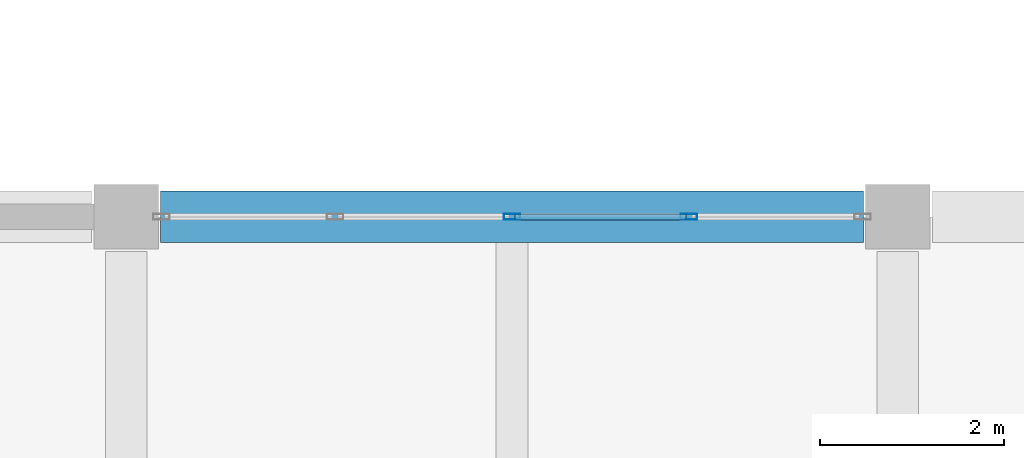
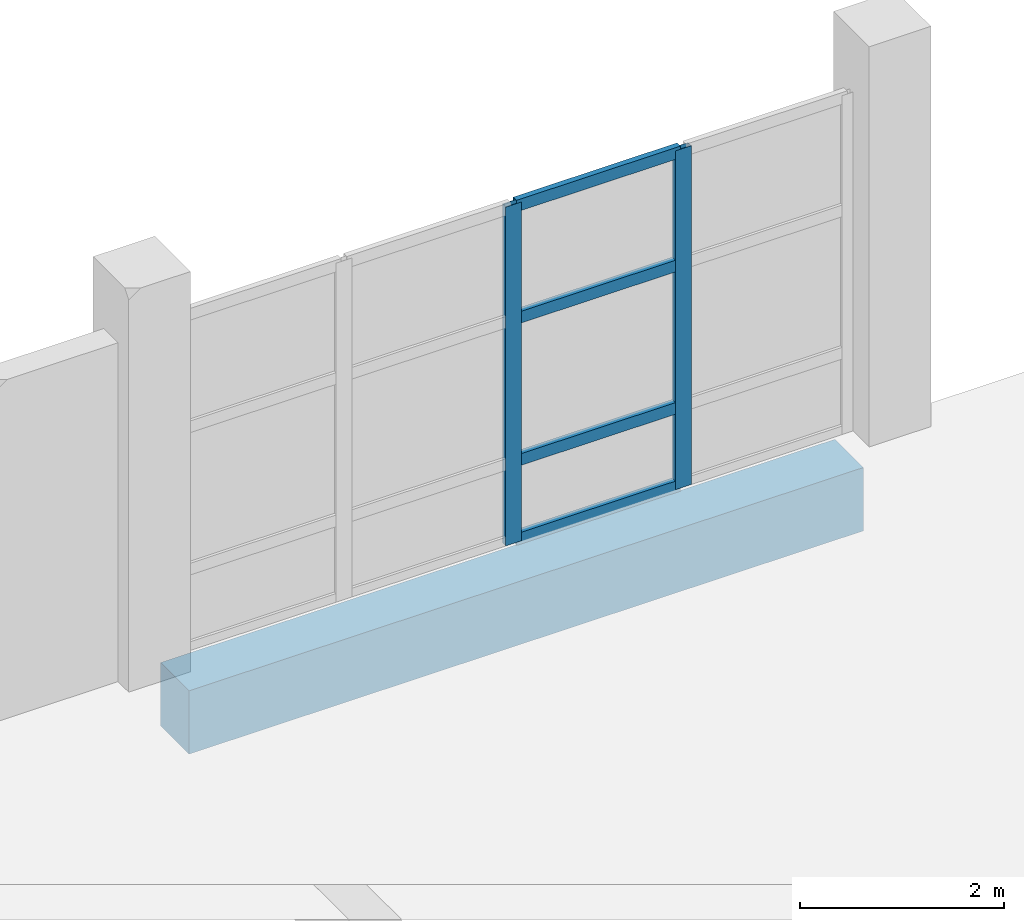
# One storey, part 25 of 91: 6 members, 1 beam, 1 element without a shape of its own.
"""IFC4 building model written with IfcOpenShell, lengths in metres."""

from ifc_helpers import new_model, si_unit, direction, frame, origin, origin_2d, place, context, subcontext, project, spatial, rectangle, hollow_rectangle, extrude, material, material_profile, profile_set, type_object, element, aggregate, save


model = new_model("IFC4")

# Units and contexts
model_context = context("Model", 3, precision=1e-05, world=origin(), true_north=direction((0.0, 1.0)))
body_context = subcontext(model_context, "Body", "Model", "MODEL_VIEW")
ifc_project = project(units=[si_unit("LENGTHUNIT", "METRE"), si_unit("AREAUNIT", "SQUARE_METRE"), si_unit("VOLUMEUNIT", "CUBIC_METRE"), si_unit("PLANEANGLEUNIT", "RADIAN"), si_unit("MASSUNIT", "GRAM", prefix="KILO")], contexts=[model_context])

# Site, building, storey
site_placement = place(None, origin())
site = spatial("IfcSite", under=ifc_project, at=site_placement, CompositionType="ELEMENT")
building_placement = place(site_placement, origin())
building = spatial("IfcBuilding", under=site, at=building_placement, Name="Pellamere Symphony Hall", CompositionType="ELEMENT")
storey_placement = place(building_placement, frame((0.0, 0.0, 5.39990234375)))
storey = spatial("IfcBuildingStorey", under=building, at=storey_placement, Name="L01", CompositionType="ELEMENT", Elevation=5.39990234375)

# Curtain wall, members
ifc_material_1 = material(Name="Thermally Broken Anodised Aluminium 6063-T6 Curtain Wall", Category="aluminium")
curtain_wall_type = type_object("IfcCurtainWallType", Name="Curtain Wall CW-04 (Chamber Music Lobby Curtain Wall)", PredefinedType="NOTDEFINED", material=ifc_material_1)
curtain_wall_placement = place(storey_placement, origin())
curtain_wall = element("IfcCurtainWall", 1, at=curtain_wall_placement, inside=storey, type_object=curtain_wall_type, Name="Chamber Garden North Curtain Wall (L01 Bay 2)", PredefinedType="NOTDEFINED")
ifc_material_2 = material(Name="Anodised Architectural Aluminium 6063-T6", Category="aluminium")
ifc_material_profile_1 = material_profile(ifc_material_2, hollow_rectangle(XDim=0.06494140625, YDim=0.179931640625, WallThickness=0.00390625, at=origin_2d()), Name="ALU-M65X180X4")
ifc_profile_set_1 = profile_set([ifc_material_profile_1], Name="Anodised Architectural Aluminium 6063-T6")
member_type_1 = type_object("IfcMemberType", Name="Curtain Wall Mullion ML-02 ALU-M65X180X4", PredefinedType="MULLION", material=ifc_profile_set_1)
member_1_placement = place(storey_placement, frame((29.39990234375, 54.0, 0.0), z_axis=(0.0, 0.0, 1.0), x_axis=(0.0, 1.0, 0.0)))
member_1 = element("IfcMember", 2, at=member_1_placement, type_object=member_type_1, Name="CW4N-120 crystal mullion 3", PredefinedType="MULLION", context=body_context, shape_type="SweptSolid", body=[
    extrude(hollow_rectangle(XDim=0.06494140625, YDim=0.179931640625, WallThickness=0.00390625, at=origin_2d()), origin(), (0.0, 0.0, 1.0), 4.064208984375),
])
member_2_placement = place(storey_placement, frame((31.324951171875, 54.0, 0.0), z_axis=(0.0, 0.0, 1.0), x_axis=(0.0, 1.0, 0.0)))
member_2 = element("IfcMember", 3, at=member_2_placement, type_object=member_type_1, Name="CW4N-120 crystal mullion 4", PredefinedType="MULLION", context=body_context, shape_type="SweptSolid", body=[
    extrude(hollow_rectangle(XDim=0.06494140625, YDim=0.179931640625, WallThickness=0.00390625, at=origin_2d()), origin(), (0.0, 0.0, 1.0), 4.064208984375),
])
ifc_material_profile_2 = material_profile(ifc_material_2, hollow_rectangle(XDim=0.06494140625, YDim=0.139892578125, WallThickness=0.00390625, at=origin_2d()), Name="ALU-T65X140X4")
ifc_profile_set_2 = profile_set([ifc_material_profile_2], Name="Anodised Architectural Aluminium 6063-T6")
member_type_2 = type_object("IfcMemberType", Name="Curtain Wall Transom TR-02 ALU-T65X140X4", PredefinedType="USERDEFINED", material=ifc_profile_set_2)
member_3_placement = place(storey_placement, frame((29.4326171875, 54.0, 0.03271484375), z_axis=(1.0, 0.0, 0.0), x_axis=(0.0, 1.0, 0.0)))
member_3 = element("IfcMember", 4, at=member_3_placement, type_object=member_type_2, Name="CW4N-120 crystal transom 3.1", ObjectType="TRANSOM", PredefinedType="USERDEFINED", context=body_context, shape_type="SweptSolid", body=[
    extrude(hollow_rectangle(XDim=0.06494140625, YDim=0.139892578125, WallThickness=0.00390625, at=origin_2d()), origin(), (0.0, 0.0, 1.0), 1.85986328125),
])
member_4_placement = place(storey_placement, frame((29.4326171875, 54.0, 0.975341796875), z_axis=(1.0, 0.0, 0.0), x_axis=(0.0, 1.0, 0.0)))
member_4 = element("IfcMember", 5, at=member_4_placement, type_object=member_type_2, Name="CW4N-120 crystal transom 3.2", ObjectType="TRANSOM", PredefinedType="USERDEFINED", context=body_context, shape_type="SweptSolid", body=[
    extrude(hollow_rectangle(XDim=0.06494140625, YDim=0.139892578125, WallThickness=0.00390625, at=origin_2d()), origin(), (0.0, 0.0, 1.0), 1.85986328125),
])
member_5_placement = place(storey_placement, frame((29.4326171875, 54.0, 2.682373046875), z_axis=(1.0, 0.0, 0.0), x_axis=(0.0, 1.0, 0.0)))
member_5 = element("IfcMember", 6, at=member_5_placement, type_object=member_type_2, Name="CW4N-120 crystal transom 3.3", ObjectType="TRANSOM", PredefinedType="USERDEFINED", context=body_context, shape_type="SweptSolid", body=[
    extrude(hollow_rectangle(XDim=0.06494140625, YDim=0.139892578125, WallThickness=0.00390625, at=origin_2d()), origin(), (0.0, 0.0, 1.0), 1.85986328125),
])
member_6_placement = place(storey_placement, frame((29.4326171875, 54.0, 4.031494140625), z_axis=(1.0, 0.0, 0.0), x_axis=(0.0, 1.0, 0.0)))
member_6 = element("IfcMember", 7, at=member_6_placement, type_object=member_type_2, Name="CW4N-120 crystal transom 3.4", ObjectType="TRANSOM", PredefinedType="USERDEFINED", context=body_context, shape_type="SweptSolid", body=[
    extrude(hollow_rectangle(XDim=0.06494140625, YDim=0.139892578125, WallThickness=0.00390625, at=origin_2d()), origin(), (0.0, 0.0, 1.0), 1.85986328125),
])
aggregate(curtain_wall, [member_1, member_2, member_3, member_4, member_5, member_6])

# Beam
ifc_material_3 = material(Name="Concrete 40 MPa", Category="concrete")
ifc_material_profile_3 = material_profile(ifc_material_3, rectangle(XDim=0.56005859375, YDim=0.760009765625, at=origin_2d()), Name="RC 560x760")
ifc_profile_set_3 = profile_set([ifc_material_profile_3], Name="Concrete 40 MPa")
beam_type = type_object("IfcBeamType", Name="RC CB-18 560x760", PredefinedType="BEAM", material=ifc_profile_set_3)
beam_placement = place(storey_placement, frame((25.574951171875, 54.0, -0.659912109375), z_axis=(1.0, 0.0, 0.0), x_axis=(0.0, 1.0, 0.0)))
element("IfcBeam", 8, at=beam_placement, inside=storey, type_object=beam_type, Name="Girder CB-18-X0638 (L01)", PredefinedType="BEAM", context=body_context, shape_type="SweptSolid", body=[
    extrude(rectangle(XDim=0.56005859375, YDim=0.760009765625, at=origin_2d()), origin(), (0.0, 0.0, 1.0), 7.650146484375),
])

save(model, "model.ifc")
